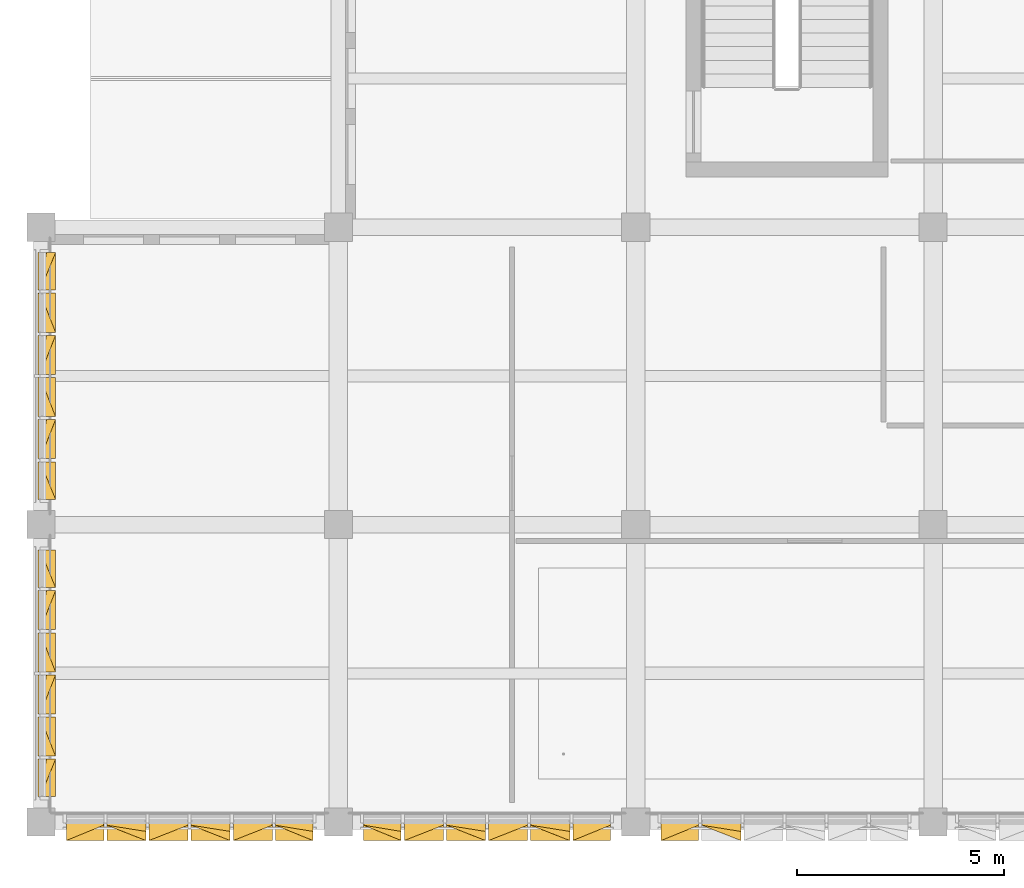
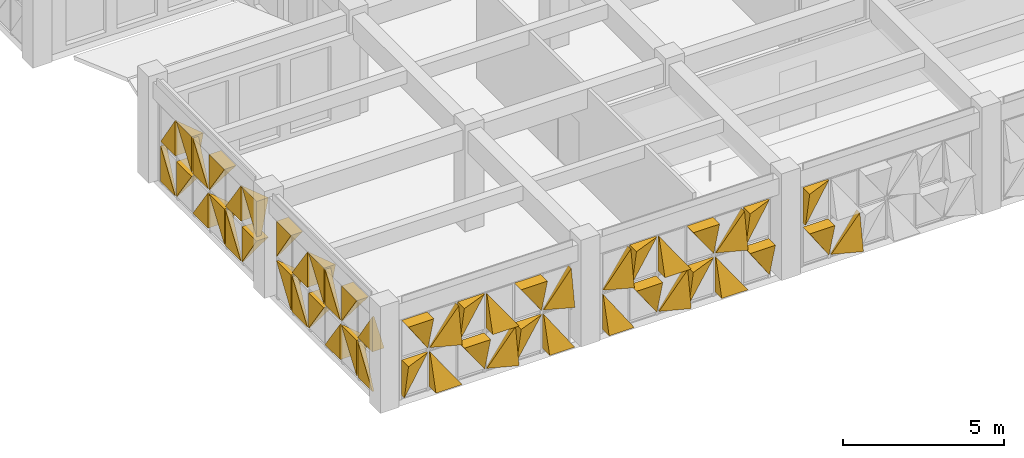
# One storey, part 80 of 88: 51 coverings.
"""IFC4 building model written with IfcOpenShell, lengths in metres."""

from ifc_helpers import new_model, si_unit, direction, frame, origin, place, context, subcontext, project, spatial, polygons, material, layer, layer_set, type_object, element, save


model = new_model("IFC4")

# Units and contexts
model_context = context("Model", 3, precision=1e-05, world=origin(), true_north=direction((0.0, 1.0)))
body_context = subcontext(model_context, "Body", "Model", "MODEL_VIEW")
ifc_project = project(units=[si_unit("LENGTHUNIT", "METRE"), si_unit("AREAUNIT", "SQUARE_METRE"), si_unit("VOLUMEUNIT", "CUBIC_METRE"), si_unit("PLANEANGLEUNIT", "RADIAN"), si_unit("MASSUNIT", "GRAM", prefix="KILO")], contexts=[model_context])

# Site, building, storey
site_placement = place(None, origin())
site = spatial("IfcSite", under=ifc_project, at=site_placement, CompositionType="ELEMENT")
building_placement = place(site_placement, origin())
building = spatial("IfcBuilding", under=site, at=building_placement, Name="Alvorim Cloister Faculty of Sciences", CompositionType="ELEMENT")
storey_placement = place(building_placement, frame((0.0, 0.0, 4.5)))
storey = spatial("IfcBuildingStorey", under=building, at=storey_placement, Name="L01", CompositionType="ELEMENT", Elevation=4.5)

# Coverings
ifc_material = material(Name="Perforated Bronze Alloy Sheet", Category="metal")
ifc_layer = layer(ifc_material, 0.0380859375)
ifc_layer_set = layer_set([ifc_layer], Name="Perforated Bronze Alloy Sheet")
covering_type = type_object("IfcCoveringType", Name="COV-TRI-BRZ", PredefinedType="CLADDING", material=ifc_layer_set)
covering_1_placement = place(storey_placement, frame((15.014892578125, -0.044921875, 0.159912109375), z_axis=(0.0, 0.0, 1.0), x_axis=(1.0, 0.0, 0.0)))
element("IfcCovering", 1, at=covering_1_placement, inside=storey, type_object=covering_type, Name="Diagonal Solid Metal Triangle TRI-TR", PredefinedType="CLADDING", context=body_context, shape_type="Tessellation", body=[
    polygons([(0.907470703125, 0.0260009765625, 0.002), (0.907470703125, 0.0260009765625, 1.344970703125), (0.002, 0.0260009765625, 1.344970703125), (0.907470703125, -0.03, 0.002), (0.907470703125, -0.4, 1.344970703125), (0.002, -0.4, 1.344970703125)], [[[1, 3, 2]], [[4, 5, 6]], [[1, 2, 5, 4]], [[2, 3, 6, 5]], [[3, 1, 4, 6]]], closed=True),
])
covering_2_placement = place(storey_placement, frame((15.014892578125, -0.044921875, 1.6650390625), z_axis=(0.0, 0.0, 1.0), x_axis=(1.0, 0.0, 0.0)))
element("IfcCovering", 2, at=covering_2_placement, inside=storey, type_object=covering_type, Name="Diagonal Solid Metal Triangle TRI-TL", PredefinedType="CLADDING", context=body_context, shape_type="Tessellation", body=[
    polygons([(0.905470703125, 0.0260009765625, 1.344970703125), (0.0, 0.0260009765625, 1.344970703125), (0.0, 0.0260009765625, 0.002), (0.905470703125, -0.03, 1.344970703125), (0.0, -0.4, 1.344970703125), (0.0, -0.13999999999999999, 0.002)], [[[1, 3, 2]], [[4, 5, 6]], [[1, 2, 5, 4]], [[2, 3, 6, 5]], [[3, 1, 4, 6]]], closed=True),
])
covering_3_placement = place(storey_placement, frame((15.99755859375, -0.044921875, 0.159912109375), z_axis=(0.0, 0.0, 1.0), x_axis=(1.0, 0.0, 0.0)))
element("IfcCovering", 3, at=covering_3_placement, inside=storey, type_object=covering_type, Name="Diagonal Solid Metal Triangle TRI-BR", PredefinedType="CLADDING", context=body_context, shape_type="Tessellation", body=[
    polygons([(0.002, 0.0260009765625, 0.0), (0.945068359375, 0.0260009765625, 0.0), (0.945068359375, 0.0260009765625, 1.342970703125), (0.002, -0.03, 0.0), (0.945068359375, -0.4, 0.0), (0.945068359375, -0.18000000000000002, 1.342970703125)], [[[1, 3, 2]], [[4, 5, 6]], [[1, 2, 5, 4]], [[2, 3, 6, 5]], [[3, 1, 4, 6]]], closed=True),
])
covering_4_placement = place(storey_placement, frame((7.81494140625, -0.044921875, 0.159912109375), z_axis=(0.0, 0.0, 1.0), x_axis=(1.0, 0.0, 0.0)))
element("IfcCovering", 4, at=covering_4_placement, inside=storey, type_object=covering_type, Name="Diagonal Solid Metal Triangle TRI-BL", PredefinedType="CLADDING", context=body_context, shape_type="Tessellation", body=[
    polygons([(0.0, 0.0260009765625, 0.0), (0.905470703125, 0.0260009765625, 0.0), (0.0, 0.0260009765625, 1.342970703125), (0.0, -0.4, 0.0), (0.905470703125, -0.4, 0.0), (0.0, -0.03, 1.342970703125)], [[[1, 3, 2]], [[4, 5, 6]], [[1, 2, 5, 4]], [[2, 3, 6, 5]], [[3, 1, 4, 6]]], closed=True),
])
covering_5_placement = place(storey_placement, frame((7.81494140625, -0.044921875, 1.6650390625), z_axis=(0.0, 0.0, 1.0), x_axis=(1.0, 0.0, 0.0)))
element("IfcCovering", 5, at=covering_5_placement, inside=storey, type_object=covering_type, Name="Diagonal Solid Metal Triangle TRI-BR", PredefinedType="CLADDING", context=body_context, shape_type="Tessellation", body=[
    polygons([(0.002, 0.0260009765625, 0.0), (0.907470703125, 0.0260009765625, 0.0), (0.907470703125, 0.0260009765625, 1.342970703125), (0.002, -0.03, 0.0), (0.907470703125, -0.4, 0.0), (0.907470703125, -0.18000000000000002, 1.342970703125)], [[[1, 3, 2]], [[4, 5, 6]], [[1, 2, 5, 4]], [[2, 3, 6, 5]], [[3, 1, 4, 6]]], closed=True),
])
covering_6_placement = place(storey_placement, frame((8.797607421875, -0.044921875, 0.159912109375), z_axis=(0.0, 0.0, 1.0), x_axis=(1.0, 0.0, 0.0)))
element("IfcCovering", 6, at=covering_6_placement, inside=storey, type_object=covering_type, Name="Diagonal Solid Metal Triangle TRI-TR", PredefinedType="CLADDING", context=body_context, shape_type="Tessellation", body=[
    polygons([(0.945068359375, 0.0260009765625, 0.002), (0.945068359375, 0.0260009765625, 1.344970703125), (0.002, 0.0260009765625, 1.344970703125), (0.945068359375, -0.03, 0.002), (0.945068359375, -0.4, 1.344970703125), (0.002, -0.4, 1.344970703125)], [[[1, 3, 2]], [[4, 5, 6]], [[1, 2, 5, 4]], [[2, 3, 6, 5]], [[3, 1, 4, 6]]], closed=True),
])
covering_7_placement = place(storey_placement, frame((8.797607421875, -0.044921875, 1.6650390625), z_axis=(0.0, 0.0, 1.0), x_axis=(1.0, 0.0, 0.0)))
element("IfcCovering", 7, at=covering_7_placement, inside=storey, type_object=covering_type, Name="Diagonal Solid Metal Triangle TRI-TL", PredefinedType="CLADDING", context=body_context, shape_type="Tessellation", body=[
    polygons([(0.943068359375, 0.0260009765625, 1.344970703125), (0.0, 0.0260009765625, 1.344970703125), (0.0, 0.0260009765625, 0.002), (0.943068359375, -0.03, 1.344970703125), (0.0, -0.4, 1.344970703125), (0.0, -0.13999999999999999, 0.002)], [[[1, 3, 2]], [[4, 5, 6]], [[1, 2, 5, 4]], [[2, 3, 6, 5]], [[3, 1, 4, 6]]], closed=True),
])
covering_8_placement = place(storey_placement, frame((9.8173828125, -0.044921875, 0.159912109375), z_axis=(0.0, 0.0, 1.0), x_axis=(1.0, 0.0, 0.0)))
element("IfcCovering", 8, at=covering_8_placement, inside=storey, type_object=covering_type, Name="Diagonal Solid Metal Triangle TRI-BR", PredefinedType="CLADDING", context=body_context, shape_type="Tessellation", body=[
    polygons([(0.002, 0.0260009765625, 0.0), (0.945068359375, 0.0260009765625, 0.0), (0.945068359375, 0.0260009765625, 1.342970703125), (0.002, -0.03, 0.0), (0.945068359375, -0.4, 0.0), (0.945068359375, -0.18000000000000002, 1.342970703125)], [[[1, 3, 2]], [[4, 5, 6]], [[1, 2, 5, 4]], [[2, 3, 6, 5]], [[3, 1, 4, 6]]], closed=True),
])
covering_9_placement = place(storey_placement, frame((9.8173828125, -0.044921875, 1.6650390625), z_axis=(0.0, 0.0, 1.0), x_axis=(1.0, 0.0, 0.0)))
element("IfcCovering", 9, at=covering_9_placement, inside=storey, type_object=covering_type, Name="Diagonal Solid Metal Triangle TRI-BL", PredefinedType="CLADDING", context=body_context, shape_type="Tessellation", body=[
    polygons([(0.0, 0.0260009765625, 0.0), (0.943068359375, 0.0260009765625, 0.0), (0.0, 0.0260009765625, 1.342970703125), (0.0, -0.4, 0.0), (0.943068359375, -0.4, 0.0), (0.0, -0.03, 1.342970703125)], [[[1, 3, 2]], [[4, 5, 6]], [[1, 2, 5, 4]], [[2, 3, 6, 5]], [[3, 1, 4, 6]]], closed=True),
])
covering_10_placement = place(storey_placement, frame((10.83740234375, -0.044921875, 0.159912109375), z_axis=(0.0, 0.0, 1.0), x_axis=(1.0, 0.0, 0.0)))
element("IfcCovering", 10, at=covering_10_placement, inside=storey, type_object=covering_type, Name="Diagonal Solid Metal Triangle TRI-TL", PredefinedType="CLADDING", context=body_context, shape_type="Tessellation", body=[
    polygons([(0.943068359375, 0.0260009765625, 1.344970703125), (0.0, 0.0260009765625, 1.344970703125), (0.0, 0.0260009765625, 0.002), (0.943068359375, -0.03, 1.344970703125), (0.0, -0.4, 1.344970703125), (0.0, -0.13999999999999999, 0.002)], [[[1, 3, 2]], [[4, 5, 6]], [[1, 2, 5, 4]], [[2, 3, 6, 5]], [[3, 1, 4, 6]]], closed=True),
])
covering_11_placement = place(storey_placement, frame((10.83740234375, -0.044921875, 1.6650390625), z_axis=(0.0, 0.0, 1.0), x_axis=(1.0, 0.0, 0.0)))
element("IfcCovering", 11, at=covering_11_placement, inside=storey, type_object=covering_type, Name="Diagonal Solid Metal Triangle TRI-TR", PredefinedType="CLADDING", context=body_context, shape_type="Tessellation", body=[
    polygons([(0.945068359375, 0.0260009765625, 0.002), (0.945068359375, 0.0260009765625, 1.344970703125), (0.002, 0.0260009765625, 1.344970703125), (0.945068359375, -0.03, 0.002), (0.945068359375, -0.4, 1.344970703125), (0.002, -0.4, 1.344970703125)], [[[1, 3, 2]], [[4, 5, 6]], [[1, 2, 5, 4]], [[2, 3, 6, 5]], [[3, 1, 4, 6]]], closed=True),
])
covering_12_placement = place(storey_placement, frame((11.857421875, -0.044921875, 0.159912109375), z_axis=(0.0, 0.0, 1.0), x_axis=(1.0, 0.0, 0.0)))
element("IfcCovering", 12, at=covering_12_placement, inside=storey, type_object=covering_type, Name="Diagonal Solid Metal Triangle TRI-BL", PredefinedType="CLADDING", context=body_context, shape_type="Tessellation", body=[
    polygons([(0.0, 0.0260009765625, 0.0), (0.943068359375, 0.0260009765625, 0.0), (0.0, 0.0260009765625, 1.342970703125), (0.0, -0.4, 0.0), (0.943068359375, -0.4, 0.0), (0.0, -0.03, 1.342970703125)], [[[1, 3, 2]], [[4, 5, 6]], [[1, 2, 5, 4]], [[2, 3, 6, 5]], [[3, 1, 4, 6]]], closed=True),
])
covering_13_placement = place(storey_placement, frame((11.857421875, -0.044921875, 1.6650390625), z_axis=(0.0, 0.0, 1.0), x_axis=(1.0, 0.0, 0.0)))
element("IfcCovering", 13, at=covering_13_placement, inside=storey, type_object=covering_type, Name="Diagonal Solid Metal Triangle TRI-BR", PredefinedType="CLADDING", context=body_context, shape_type="Tessellation", body=[
    polygons([(0.002, 0.0260009765625, 0.0), (0.945068359375, 0.0260009765625, 0.0), (0.945068359375, 0.0260009765625, 1.342970703125), (0.002, -0.03, 0.0), (0.945068359375, -0.4, 0.0), (0.945068359375, -0.18000000000000002, 1.342970703125)], [[[1, 3, 2]], [[4, 5, 6]], [[1, 2, 5, 4]], [[2, 3, 6, 5]], [[3, 1, 4, 6]]], closed=True),
])
covering_14_placement = place(storey_placement, frame((12.87744140625, -0.044921875, 0.159912109375), z_axis=(0.0, 0.0, 1.0), x_axis=(1.0, 0.0, 0.0)))
element("IfcCovering", 14, at=covering_14_placement, inside=storey, type_object=covering_type, Name="Diagonal Solid Metal Triangle TRI-TR", PredefinedType="CLADDING", context=body_context, shape_type="Tessellation", body=[
    polygons([(0.907470703125, 0.0260009765625, 0.002), (0.907470703125, 0.0260009765625, 1.344970703125), (0.002, 0.0260009765625, 1.344970703125), (0.907470703125, -0.03, 0.002), (0.907470703125, -0.4, 1.344970703125), (0.002, -0.4, 1.344970703125)], [[[1, 3, 2]], [[4, 5, 6]], [[1, 2, 5, 4]], [[2, 3, 6, 5]], [[3, 1, 4, 6]]], closed=True),
])
for number, where, z_axis, x_axis, name in (
    (15, (12.87744140625, -0.044921875, 1.6650390625), (0.0, 0.0, 1.0), (1.0, 0.0, 0.0), "Diagonal Solid Metal Triangle TRI-TL"),
    (16, (0.614990234375, -0.044921875, 0.159912109375), (0.0, 0.0, 1.0), (1.0, 0.0, 0.0), "Diagonal Solid Metal Triangle TRI-TL"),
):
    element("IfcCovering", number, at=place(storey_placement, frame(where, z_axis=z_axis, x_axis=x_axis)), inside=storey, type_object=covering_type, Name=name, PredefinedType="CLADDING", context=body_context, shape_type="Tessellation", body=[
        polygons([(0.905470703125, 0.0260009765625, 1.344970703125), (0.0, 0.0260009765625, 1.344970703125), (0.0, 0.0260009765625, 0.002), (0.905470703125, -0.03, 1.344970703125), (0.0, -0.4, 1.344970703125), (0.0, -0.13999999999999999, 0.002)], [[[1, 3, 2]], [[4, 5, 6]], [[1, 2, 5, 4]], [[2, 3, 6, 5]], [[3, 1, 4, 6]]], closed=True),
    ])
covering_15_placement = place(storey_placement, frame((0.614990234375, -0.044921875, 1.6650390625), z_axis=(0.0, 0.0, 1.0), x_axis=(1.0, 0.0, 0.0)))
element("IfcCovering", 17, at=covering_15_placement, inside=storey, type_object=covering_type, Name="Diagonal Solid Metal Triangle TRI-TR", PredefinedType="CLADDING", context=body_context, shape_type="Tessellation", body=[
    polygons([(0.907470703125, 0.0260009765625, 0.002), (0.907470703125, 0.0260009765625, 1.344970703125), (0.002, 0.0260009765625, 1.344970703125), (0.907470703125, -0.03, 0.002), (0.907470703125, -0.4, 1.344970703125), (0.002, -0.4, 1.344970703125)], [[[1, 3, 2]], [[4, 5, 6]], [[1, 2, 5, 4]], [[2, 3, 6, 5]], [[3, 1, 4, 6]]], closed=True),
])
covering_16_placement = place(storey_placement, frame((1.597412109375, -0.044921875, 0.159912109375), z_axis=(0.0, 0.0, 1.0), x_axis=(1.0, 0.0, 0.0)))
element("IfcCovering", 18, at=covering_16_placement, inside=storey, type_object=covering_type, Name="Diagonal Solid Metal Triangle TRI-BL", PredefinedType="CLADDING", context=body_context, shape_type="Tessellation", body=[
    polygons([(0.0, 0.0260009765625, 0.0), (0.943068359375, 0.0260009765625, 0.0), (0.0, 0.0260009765625, 1.342970703125), (0.0, -0.4, 0.0), (0.943068359375, -0.4, 0.0), (0.0, -0.03, 1.342970703125)], [[[1, 3, 2]], [[4, 5, 6]], [[1, 2, 5, 4]], [[2, 3, 6, 5]], [[3, 1, 4, 6]]], closed=True),
])
covering_17_placement = place(storey_placement, frame((1.597412109375, -0.044921875, 1.6650390625), z_axis=(0.0, 0.0, 1.0), x_axis=(1.0, 0.0, 0.0)))
element("IfcCovering", 19, at=covering_17_placement, inside=storey, type_object=covering_type, Name="Diagonal Solid Metal Triangle TRI-BR", PredefinedType="CLADDING", context=body_context, shape_type="Tessellation", body=[
    polygons([(0.002, 0.0260009765625, 0.0), (0.945068359375, 0.0260009765625, 0.0), (0.945068359375, 0.0260009765625, 1.342970703125), (0.002, -0.03, 0.0), (0.945068359375, -0.4, 0.0), (0.945068359375, -0.18000000000000002, 1.342970703125)], [[[1, 3, 2]], [[4, 5, 6]], [[1, 2, 5, 4]], [[2, 3, 6, 5]], [[3, 1, 4, 6]]], closed=True),
])
covering_18_placement = place(storey_placement, frame((2.617431640625, -0.044921875, 0.159912109375), z_axis=(0.0, 0.0, 1.0), x_axis=(1.0, 0.0, 0.0)))
element("IfcCovering", 20, at=covering_18_placement, inside=storey, type_object=covering_type, Name="Diagonal Solid Metal Triangle TRI-TR", PredefinedType="CLADDING", context=body_context, shape_type="Tessellation", body=[
    polygons([(0.945068359375, 0.0260009765625, 0.002), (0.945068359375, 0.0260009765625, 1.344970703125), (0.002, 0.0260009765625, 1.344970703125), (0.945068359375, -0.03, 0.002), (0.945068359375, -0.4, 1.344970703125), (0.002, -0.4, 1.344970703125)], [[[1, 3, 2]], [[4, 5, 6]], [[1, 2, 5, 4]], [[2, 3, 6, 5]], [[3, 1, 4, 6]]], closed=True),
])
covering_19_placement = place(storey_placement, frame((2.617431640625, -0.044921875, 1.6650390625), z_axis=(0.0, 0.0, 1.0), x_axis=(1.0, 0.0, 0.0)))
element("IfcCovering", 21, at=covering_19_placement, inside=storey, type_object=covering_type, Name="Diagonal Solid Metal Triangle TRI-TL", PredefinedType="CLADDING", context=body_context, shape_type="Tessellation", body=[
    polygons([(0.943068359375, 0.0260009765625, 1.344970703125), (0.0, 0.0260009765625, 1.344970703125), (0.0, 0.0260009765625, 0.002), (0.943068359375, -0.03, 1.344970703125), (0.0, -0.4, 1.344970703125), (0.0, -0.13999999999999999, 0.002)], [[[1, 3, 2]], [[4, 5, 6]], [[1, 2, 5, 4]], [[2, 3, 6, 5]], [[3, 1, 4, 6]]], closed=True),
])
covering_20_placement = place(storey_placement, frame((3.637451171875, -0.044921875, 0.159912109375), z_axis=(0.0, 0.0, 1.0), x_axis=(1.0, 0.0, 0.0)))
element("IfcCovering", 22, at=covering_20_placement, inside=storey, type_object=covering_type, Name="Diagonal Solid Metal Triangle TRI-BR", PredefinedType="CLADDING", context=body_context, shape_type="Tessellation", body=[
    polygons([(0.002, 0.0260009765625, 0.0), (0.945068359375, 0.0260009765625, 0.0), (0.945068359375, 0.0260009765625, 1.342970703125), (0.002, -0.03, 0.0), (0.945068359375, -0.4, 0.0), (0.945068359375, -0.18000000000000002, 1.342970703125)], [[[1, 3, 2]], [[4, 5, 6]], [[1, 2, 5, 4]], [[2, 3, 6, 5]], [[3, 1, 4, 6]]], closed=True),
])
covering_21_placement = place(storey_placement, frame((3.637451171875, -0.044921875, 1.6650390625), z_axis=(0.0, 0.0, 1.0), x_axis=(1.0, 0.0, 0.0)))
element("IfcCovering", 23, at=covering_21_placement, inside=storey, type_object=covering_type, Name="Diagonal Solid Metal Triangle TRI-BL", PredefinedType="CLADDING", context=body_context, shape_type="Tessellation", body=[
    polygons([(0.0, 0.0260009765625, 0.0), (0.943068359375, 0.0260009765625, 0.0), (0.0, 0.0260009765625, 1.342970703125), (0.0, -0.4, 0.0), (0.943068359375, -0.4, 0.0), (0.0, -0.03, 1.342970703125)], [[[1, 3, 2]], [[4, 5, 6]], [[1, 2, 5, 4]], [[2, 3, 6, 5]], [[3, 1, 4, 6]]], closed=True),
])
covering_22_placement = place(storey_placement, frame((4.657470703125, -0.044921875, 0.159912109375), z_axis=(0.0, 0.0, 1.0), x_axis=(1.0, 0.0, 0.0)))
element("IfcCovering", 24, at=covering_22_placement, inside=storey, type_object=covering_type, Name="Diagonal Solid Metal Triangle TRI-TL", PredefinedType="CLADDING", context=body_context, shape_type="Tessellation", body=[
    polygons([(0.943068359375, 0.0260009765625, 1.344970703125), (0.0, 0.0260009765625, 1.344970703125), (0.0, 0.0260009765625, 0.002), (0.943068359375, -0.03, 1.344970703125), (0.0, -0.4, 1.344970703125), (0.0, -0.13999999999999999, 0.002)], [[[1, 3, 2]], [[4, 5, 6]], [[1, 2, 5, 4]], [[2, 3, 6, 5]], [[3, 1, 4, 6]]], closed=True),
])
covering_23_placement = place(storey_placement, frame((4.657470703125, -0.044921875, 1.6650390625), z_axis=(0.0, 0.0, 1.0), x_axis=(1.0, 0.0, 0.0)))
element("IfcCovering", 25, at=covering_23_placement, inside=storey, type_object=covering_type, Name="Diagonal Solid Metal Triangle TRI-TR", PredefinedType="CLADDING", context=body_context, shape_type="Tessellation", body=[
    polygons([(0.945068359375, 0.0260009765625, 0.002), (0.945068359375, 0.0260009765625, 1.344970703125), (0.002, 0.0260009765625, 1.344970703125), (0.945068359375, -0.03, 0.002), (0.945068359375, -0.4, 1.344970703125), (0.002, -0.4, 1.344970703125)], [[[1, 3, 2]], [[4, 5, 6]], [[1, 2, 5, 4]], [[2, 3, 6, 5]], [[3, 1, 4, 6]]], closed=True),
])
covering_24_placement = place(storey_placement, frame((5.677490234375, -0.044921875, 0.159912109375), z_axis=(0.0, 0.0, 1.0), x_axis=(1.0, 0.0, 0.0)))
element("IfcCovering", 26, at=covering_24_placement, inside=storey, type_object=covering_type, Name="Diagonal Solid Metal Triangle TRI-BL", PredefinedType="CLADDING", context=body_context, shape_type="Tessellation", body=[
    polygons([(0.0, 0.0260009765625, 0.0), (0.905470703125, 0.0260009765625, 0.0), (0.0, 0.0260009765625, 1.342970703125), (0.0, -0.4, 0.0), (0.905470703125, -0.4, 0.0), (0.0, -0.03, 1.342970703125)], [[[1, 3, 2]], [[4, 5, 6]], [[1, 2, 5, 4]], [[2, 3, 6, 5]], [[3, 1, 4, 6]]], closed=True),
])
for number, where, z_axis, x_axis, name in (
    (27, (5.677490234375, -0.044921875, 1.6650390625), (0.0, 0.0, 1.0), (1.0, 0.0, 0.0), "Diagonal Solid Metal Triangle TRI-BR"),
    (28, (-0.044921875, 0.614990234375, 0.159912109375), (0.0, 0.0, 1.0), (0.0, 1.0, 0.0), "Diagonal Solid Metal Triangle TRI-BR"),
):
    element("IfcCovering", number, at=place(storey_placement, frame(where, z_axis=z_axis, x_axis=x_axis)), inside=storey, type_object=covering_type, Name=name, PredefinedType="CLADDING", context=body_context, shape_type="Tessellation", body=[
        polygons([(0.002, 0.0260009765625, 0.0), (0.907470703125, 0.0260009765625, 0.0), (0.907470703125, 0.0260009765625, 1.342970703125), (0.002, -0.03, 0.0), (0.907470703125, -0.4, 0.0), (0.907470703125, -0.18000000000000002, 1.342970703125)], [[[1, 3, 2]], [[4, 5, 6]], [[1, 2, 5, 4]], [[2, 3, 6, 5]], [[3, 1, 4, 6]]], closed=True),
    ])
covering_25_placement = place(storey_placement, frame((-0.044921875, 0.614990234375, 1.6650390625), z_axis=(0.0, 0.0, 1.0), x_axis=(0.0, 1.0, 0.0)))
element("IfcCovering", 29, at=covering_25_placement, inside=storey, type_object=covering_type, Name="Diagonal Solid Metal Triangle TRI-BL", PredefinedType="CLADDING", context=body_context, shape_type="Tessellation", body=[
    polygons([(0.0, 0.0260009765625, 0.0), (0.905470703125, 0.0260009765625, 0.0), (0.0, 0.0260009765625, 1.342970703125), (0.0, -0.4, 0.0), (0.905470703125, -0.4, 0.0), (0.0, -0.03, 1.342970703125)], [[[1, 3, 2]], [[4, 5, 6]], [[1, 2, 5, 4]], [[2, 3, 6, 5]], [[3, 1, 4, 6]]], closed=True),
])
covering_26_placement = place(storey_placement, frame((-0.044921875, 1.597412109375, 0.159912109375), z_axis=(0.0, 0.0, 1.0), x_axis=(0.0, 1.0, 0.0)))
element("IfcCovering", 30, at=covering_26_placement, inside=storey, type_object=covering_type, Name="Diagonal Solid Metal Triangle TRI-TL", PredefinedType="CLADDING", context=body_context, shape_type="Tessellation", body=[
    polygons([(0.943068359375, 0.0260009765625, 1.344970703125), (0.0, 0.0260009765625, 1.344970703125), (0.0, 0.0260009765625, 0.002), (0.943068359375, -0.03, 1.344970703125), (0.0, -0.4, 1.344970703125), (0.0, -0.13999999999999999, 0.002)], [[[1, 3, 2]], [[4, 5, 6]], [[1, 2, 5, 4]], [[2, 3, 6, 5]], [[3, 1, 4, 6]]], closed=True),
])
covering_27_placement = place(storey_placement, frame((-0.044921875, 1.597412109375, 1.6650390625), z_axis=(0.0, 0.0, 1.0), x_axis=(0.0, 1.0, 0.0)))
element("IfcCovering", 31, at=covering_27_placement, inside=storey, type_object=covering_type, Name="Diagonal Solid Metal Triangle TRI-TR", PredefinedType="CLADDING", context=body_context, shape_type="Tessellation", body=[
    polygons([(0.945068359375, 0.0260009765625, 0.002), (0.945068359375, 0.0260009765625, 1.344970703125), (0.002, 0.0260009765625, 1.344970703125), (0.945068359375, -0.03, 0.002), (0.945068359375, -0.4, 1.344970703125), (0.002, -0.4, 1.344970703125)], [[[1, 3, 2]], [[4, 5, 6]], [[1, 2, 5, 4]], [[2, 3, 6, 5]], [[3, 1, 4, 6]]], closed=True),
])
covering_28_placement = place(storey_placement, frame((-0.044921875, 2.617431640625, 0.159912109375), z_axis=(0.0, 0.0, 1.0), x_axis=(0.0, 1.0, 0.0)))
element("IfcCovering", 32, at=covering_28_placement, inside=storey, type_object=covering_type, Name="Diagonal Solid Metal Triangle TRI-BL", PredefinedType="CLADDING", context=body_context, shape_type="Tessellation", body=[
    polygons([(0.0, 0.0260009765625, 0.0), (0.943068359375, 0.0260009765625, 0.0), (0.0, 0.0260009765625, 1.342970703125), (0.0, -0.4, 0.0), (0.943068359375, -0.4, 0.0), (0.0, -0.03, 1.342970703125)], [[[1, 3, 2]], [[4, 5, 6]], [[1, 2, 5, 4]], [[2, 3, 6, 5]], [[3, 1, 4, 6]]], closed=True),
])
covering_29_placement = place(storey_placement, frame((-0.044921875, 2.617431640625, 1.6650390625), z_axis=(0.0, 0.0, 1.0), x_axis=(0.0, 1.0, 0.0)))
element("IfcCovering", 33, at=covering_29_placement, inside=storey, type_object=covering_type, Name="Diagonal Solid Metal Triangle TRI-BR", PredefinedType="CLADDING", context=body_context, shape_type="Tessellation", body=[
    polygons([(0.002, 0.0260009765625, 0.0), (0.945068359375, 0.0260009765625, 0.0), (0.945068359375, 0.0260009765625, 1.342970703125), (0.002, -0.03, 0.0), (0.945068359375, -0.4, 0.0), (0.945068359375, -0.18000000000000002, 1.342970703125)], [[[1, 3, 2]], [[4, 5, 6]], [[1, 2, 5, 4]], [[2, 3, 6, 5]], [[3, 1, 4, 6]]], closed=True),
])
covering_30_placement = place(storey_placement, frame((-0.044921875, 3.637451171875, 0.159912109375), z_axis=(0.0, 0.0, 1.0), x_axis=(0.0, 1.0, 0.0)))
element("IfcCovering", 34, at=covering_30_placement, inside=storey, type_object=covering_type, Name="Diagonal Solid Metal Triangle TRI-TR", PredefinedType="CLADDING", context=body_context, shape_type="Tessellation", body=[
    polygons([(0.945068359375, 0.0260009765625, 0.002), (0.945068359375, 0.0260009765625, 1.344970703125), (0.002, 0.0260009765625, 1.344970703125), (0.945068359375, -0.03, 0.002), (0.945068359375, -0.4, 1.344970703125), (0.002, -0.4, 1.344970703125)], [[[1, 3, 2]], [[4, 5, 6]], [[1, 2, 5, 4]], [[2, 3, 6, 5]], [[3, 1, 4, 6]]], closed=True),
])
covering_31_placement = place(storey_placement, frame((-0.044921875, 3.637451171875, 1.6650390625), z_axis=(0.0, 0.0, 1.0), x_axis=(0.0, 1.0, 0.0)))
element("IfcCovering", 35, at=covering_31_placement, inside=storey, type_object=covering_type, Name="Diagonal Solid Metal Triangle TRI-TL", PredefinedType="CLADDING", context=body_context, shape_type="Tessellation", body=[
    polygons([(0.943068359375, 0.0260009765625, 1.344970703125), (0.0, 0.0260009765625, 1.344970703125), (0.0, 0.0260009765625, 0.002), (0.943068359375, -0.03, 1.344970703125), (0.0, -0.4, 1.344970703125), (0.0, -0.13999999999999999, 0.002)], [[[1, 3, 2]], [[4, 5, 6]], [[1, 2, 5, 4]], [[2, 3, 6, 5]], [[3, 1, 4, 6]]], closed=True),
])
covering_32_placement = place(storey_placement, frame((-0.044921875, 4.657470703125, 0.159912109375), z_axis=(0.0, 0.0, 1.0), x_axis=(0.0, 1.0, 0.0)))
element("IfcCovering", 36, at=covering_32_placement, inside=storey, type_object=covering_type, Name="Diagonal Solid Metal Triangle TRI-BR", PredefinedType="CLADDING", context=body_context, shape_type="Tessellation", body=[
    polygons([(0.002, 0.0260009765625, 0.0), (0.945068359375, 0.0260009765625, 0.0), (0.945068359375, 0.0260009765625, 1.342970703125), (0.002, -0.03, 0.0), (0.945068359375, -0.4, 0.0), (0.945068359375, -0.18000000000000002, 1.342970703125)], [[[1, 3, 2]], [[4, 5, 6]], [[1, 2, 5, 4]], [[2, 3, 6, 5]], [[3, 1, 4, 6]]], closed=True),
])
covering_33_placement = place(storey_placement, frame((-0.044921875, 4.657470703125, 1.6650390625), z_axis=(0.0, 0.0, 1.0), x_axis=(0.0, 1.0, 0.0)))
element("IfcCovering", 37, at=covering_33_placement, inside=storey, type_object=covering_type, Name="Diagonal Solid Metal Triangle TRI-BL", PredefinedType="CLADDING", context=body_context, shape_type="Tessellation", body=[
    polygons([(0.0, 0.0260009765625, 0.0), (0.943068359375, 0.0260009765625, 0.0), (0.0, 0.0260009765625, 1.342970703125), (0.0, -0.4, 0.0), (0.943068359375, -0.4, 0.0), (0.0, -0.03, 1.342970703125)], [[[1, 3, 2]], [[4, 5, 6]], [[1, 2, 5, 4]], [[2, 3, 6, 5]], [[3, 1, 4, 6]]], closed=True),
])
covering_34_placement = place(storey_placement, frame((-0.044921875, 5.677490234375, 0.159912109375), z_axis=(0.0, 0.0, 1.0), x_axis=(0.0, 1.0, 0.0)))
element("IfcCovering", 38, at=covering_34_placement, inside=storey, type_object=covering_type, Name="Diagonal Solid Metal Triangle TRI-TL", PredefinedType="CLADDING", context=body_context, shape_type="Tessellation", body=[
    polygons([(0.905470703125, 0.0260009765625, 1.344970703125), (0.0, 0.0260009765625, 1.344970703125), (0.0, 0.0260009765625, 0.002), (0.905470703125, -0.03, 1.344970703125), (0.0, -0.4, 1.344970703125), (0.0, -0.13999999999999999, 0.002)], [[[1, 3, 2]], [[4, 5, 6]], [[1, 2, 5, 4]], [[2, 3, 6, 5]], [[3, 1, 4, 6]]], closed=True),
])
for number, where, z_axis, x_axis, name in (
    (39, (-0.044921875, 5.677490234375, 1.6650390625), (0.0, 0.0, 1.0), (0.0, 1.0, 0.0), "Diagonal Solid Metal Triangle TRI-TR"),
    (40, (-0.044921875, 7.81494140625, 0.159912109375), (0.0, 0.0, 1.0), (0.0, 1.0, 0.0), "Diagonal Solid Metal Triangle TRI-TR"),
):
    element("IfcCovering", number, at=place(storey_placement, frame(where, z_axis=z_axis, x_axis=x_axis)), inside=storey, type_object=covering_type, Name=name, PredefinedType="CLADDING", context=body_context, shape_type="Tessellation", body=[
        polygons([(0.907470703125, 0.0260009765625, 0.002), (0.907470703125, 0.0260009765625, 1.344970703125), (0.002, 0.0260009765625, 1.344970703125), (0.907470703125, -0.03, 0.002), (0.907470703125, -0.4, 1.344970703125), (0.002, -0.4, 1.344970703125)], [[[1, 3, 2]], [[4, 5, 6]], [[1, 2, 5, 4]], [[2, 3, 6, 5]], [[3, 1, 4, 6]]], closed=True),
    ])
covering_35_placement = place(storey_placement, frame((-0.044921875, 7.81494140625, 1.6650390625), z_axis=(0.0, 0.0, 1.0), x_axis=(0.0, 1.0, 0.0)))
element("IfcCovering", 41, at=covering_35_placement, inside=storey, type_object=covering_type, Name="Diagonal Solid Metal Triangle TRI-TL", PredefinedType="CLADDING", context=body_context, shape_type="Tessellation", body=[
    polygons([(0.905470703125, 0.0260009765625, 1.344970703125), (0.0, 0.0260009765625, 1.344970703125), (0.0, 0.0260009765625, 0.002), (0.905470703125, -0.03, 1.344970703125), (0.0, -0.4, 1.344970703125), (0.0, -0.13999999999999999, 0.002)], [[[1, 3, 2]], [[4, 5, 6]], [[1, 2, 5, 4]], [[2, 3, 6, 5]], [[3, 1, 4, 6]]], closed=True),
])
covering_36_placement = place(storey_placement, frame((-0.044921875, 8.797607421875, 0.159912109375), z_axis=(0.0, 0.0, 1.0), x_axis=(0.0, 1.0, 0.0)))
element("IfcCovering", 42, at=covering_36_placement, inside=storey, type_object=covering_type, Name="Diagonal Solid Metal Triangle TRI-BR", PredefinedType="CLADDING", context=body_context, shape_type="Tessellation", body=[
    polygons([(0.002, 0.0260009765625, 0.0), (0.945068359375, 0.0260009765625, 0.0), (0.945068359375, 0.0260009765625, 1.342970703125), (0.002, -0.03, 0.0), (0.945068359375, -0.4, 0.0), (0.945068359375, -0.18000000000000002, 1.342970703125)], [[[1, 3, 2]], [[4, 5, 6]], [[1, 2, 5, 4]], [[2, 3, 6, 5]], [[3, 1, 4, 6]]], closed=True),
])
covering_37_placement = place(storey_placement, frame((-0.044921875, 8.797607421875, 1.6650390625), z_axis=(0.0, 0.0, 1.0), x_axis=(0.0, 1.0, 0.0)))
element("IfcCovering", 43, at=covering_37_placement, inside=storey, type_object=covering_type, Name="Diagonal Solid Metal Triangle TRI-BL", PredefinedType="CLADDING", context=body_context, shape_type="Tessellation", body=[
    polygons([(0.0, 0.0260009765625, 0.0), (0.943068359375, 0.0260009765625, 0.0), (0.0, 0.0260009765625, 1.342970703125), (0.0, -0.4, 0.0), (0.943068359375, -0.4, 0.0), (0.0, -0.03, 1.342970703125)], [[[1, 3, 2]], [[4, 5, 6]], [[1, 2, 5, 4]], [[2, 3, 6, 5]], [[3, 1, 4, 6]]], closed=True),
])
covering_38_placement = place(storey_placement, frame((-0.044921875, 9.8173828125, 0.159912109375), z_axis=(0.0, 0.0, 1.0), x_axis=(0.0, 1.0, 0.0)))
element("IfcCovering", 44, at=covering_38_placement, inside=storey, type_object=covering_type, Name="Diagonal Solid Metal Triangle TRI-TL", PredefinedType="CLADDING", context=body_context, shape_type="Tessellation", body=[
    polygons([(0.943068359375, 0.0260009765625, 1.344970703125), (0.0, 0.0260009765625, 1.344970703125), (0.0, 0.0260009765625, 0.002), (0.943068359375, -0.03, 1.344970703125), (0.0, -0.4, 1.344970703125), (0.0, -0.13999999999999999, 0.002)], [[[1, 3, 2]], [[4, 5, 6]], [[1, 2, 5, 4]], [[2, 3, 6, 5]], [[3, 1, 4, 6]]], closed=True),
])
covering_39_placement = place(storey_placement, frame((-0.044921875, 9.8173828125, 1.6650390625), z_axis=(0.0, 0.0, 1.0), x_axis=(0.0, 1.0, 0.0)))
element("IfcCovering", 45, at=covering_39_placement, inside=storey, type_object=covering_type, Name="Diagonal Solid Metal Triangle TRI-TR", PredefinedType="CLADDING", context=body_context, shape_type="Tessellation", body=[
    polygons([(0.945068359375, 0.0260009765625, 0.002), (0.945068359375, 0.0260009765625, 1.344970703125), (0.002, 0.0260009765625, 1.344970703125), (0.945068359375, -0.03, 0.002), (0.945068359375, -0.4, 1.344970703125), (0.002, -0.4, 1.344970703125)], [[[1, 3, 2]], [[4, 5, 6]], [[1, 2, 5, 4]], [[2, 3, 6, 5]], [[3, 1, 4, 6]]], closed=True),
])
covering_40_placement = place(storey_placement, frame((-0.044921875, 10.83740234375, 0.159912109375), z_axis=(0.0, 0.0, 1.0), x_axis=(0.0, 1.0, 0.0)))
element("IfcCovering", 46, at=covering_40_placement, inside=storey, type_object=covering_type, Name="Diagonal Solid Metal Triangle TRI-BL", PredefinedType="CLADDING", context=body_context, shape_type="Tessellation", body=[
    polygons([(0.0, 0.0260009765625, 0.0), (0.943068359375, 0.0260009765625, 0.0), (0.0, 0.0260009765625, 1.342970703125), (0.0, -0.4, 0.0), (0.943068359375, -0.4, 0.0), (0.0, -0.03, 1.342970703125)], [[[1, 3, 2]], [[4, 5, 6]], [[1, 2, 5, 4]], [[2, 3, 6, 5]], [[3, 1, 4, 6]]], closed=True),
])
covering_41_placement = place(storey_placement, frame((-0.044921875, 10.83740234375, 1.6650390625), z_axis=(0.0, 0.0, 1.0), x_axis=(0.0, 1.0, 0.0)))
element("IfcCovering", 47, at=covering_41_placement, inside=storey, type_object=covering_type, Name="Diagonal Solid Metal Triangle TRI-BR", PredefinedType="CLADDING", context=body_context, shape_type="Tessellation", body=[
    polygons([(0.002, 0.0260009765625, 0.0), (0.945068359375, 0.0260009765625, 0.0), (0.945068359375, 0.0260009765625, 1.342970703125), (0.002, -0.03, 0.0), (0.945068359375, -0.4, 0.0), (0.945068359375, -0.18000000000000002, 1.342970703125)], [[[1, 3, 2]], [[4, 5, 6]], [[1, 2, 5, 4]], [[2, 3, 6, 5]], [[3, 1, 4, 6]]], closed=True),
])
covering_42_placement = place(storey_placement, frame((-0.044921875, 11.857421875, 0.159912109375), z_axis=(0.0, 0.0, 1.0), x_axis=(0.0, 1.0, 0.0)))
element("IfcCovering", 48, at=covering_42_placement, inside=storey, type_object=covering_type, Name="Diagonal Solid Metal Triangle TRI-TR", PredefinedType="CLADDING", context=body_context, shape_type="Tessellation", body=[
    polygons([(0.945068359375, 0.0260009765625, 0.002), (0.945068359375, 0.0260009765625, 1.344970703125), (0.002, 0.0260009765625, 1.344970703125), (0.945068359375, -0.03, 0.002), (0.945068359375, -0.4, 1.344970703125), (0.002, -0.4, 1.344970703125)], [[[1, 3, 2]], [[4, 5, 6]], [[1, 2, 5, 4]], [[2, 3, 6, 5]], [[3, 1, 4, 6]]], closed=True),
])
covering_43_placement = place(storey_placement, frame((-0.044921875, 11.857421875, 1.6650390625), z_axis=(0.0, 0.0, 1.0), x_axis=(0.0, 1.0, 0.0)))
element("IfcCovering", 49, at=covering_43_placement, inside=storey, type_object=covering_type, Name="Diagonal Solid Metal Triangle TRI-TL", PredefinedType="CLADDING", context=body_context, shape_type="Tessellation", body=[
    polygons([(0.943068359375, 0.0260009765625, 1.344970703125), (0.0, 0.0260009765625, 1.344970703125), (0.0, 0.0260009765625, 0.002), (0.943068359375, -0.03, 1.344970703125), (0.0, -0.4, 1.344970703125), (0.0, -0.13999999999999999, 0.002)], [[[1, 3, 2]], [[4, 5, 6]], [[1, 2, 5, 4]], [[2, 3, 6, 5]], [[3, 1, 4, 6]]], closed=True),
])
covering_44_placement = place(storey_placement, frame((-0.044921875, 12.87744140625, 0.159912109375), z_axis=(0.0, 0.0, 1.0), x_axis=(0.0, 1.0, 0.0)))
element("IfcCovering", 50, at=covering_44_placement, inside=storey, type_object=covering_type, Name="Diagonal Solid Metal Triangle TRI-BR", PredefinedType="CLADDING", context=body_context, shape_type="Tessellation", body=[
    polygons([(0.002, 0.0260009765625, 0.0), (0.907470703125, 0.0260009765625, 0.0), (0.907470703125, 0.0260009765625, 1.342970703125), (0.002, -0.03, 0.0), (0.907470703125, -0.4, 0.0), (0.907470703125, -0.18000000000000002, 1.342970703125)], [[[1, 3, 2]], [[4, 5, 6]], [[1, 2, 5, 4]], [[2, 3, 6, 5]], [[3, 1, 4, 6]]], closed=True),
])
covering_45_placement = place(storey_placement, frame((-0.044921875, 12.87744140625, 1.6650390625), z_axis=(0.0, 0.0, 1.0), x_axis=(0.0, 1.0, 0.0)))
element("IfcCovering", 51, at=covering_45_placement, inside=storey, type_object=covering_type, Name="Diagonal Solid Metal Triangle TRI-BL", PredefinedType="CLADDING", context=body_context, shape_type="Tessellation", body=[
    polygons([(0.0, 0.0260009765625, 0.0), (0.905470703125, 0.0260009765625, 0.0), (0.0, 0.0260009765625, 1.342970703125), (0.0, -0.4, 0.0), (0.905470703125, -0.4, 0.0), (0.0, -0.03, 1.342970703125)], [[[1, 3, 2]], [[4, 5, 6]], [[1, 2, 5, 4]], [[2, 3, 6, 5]], [[3, 1, 4, 6]]], closed=True),
])

save(model, "model.ifc")
